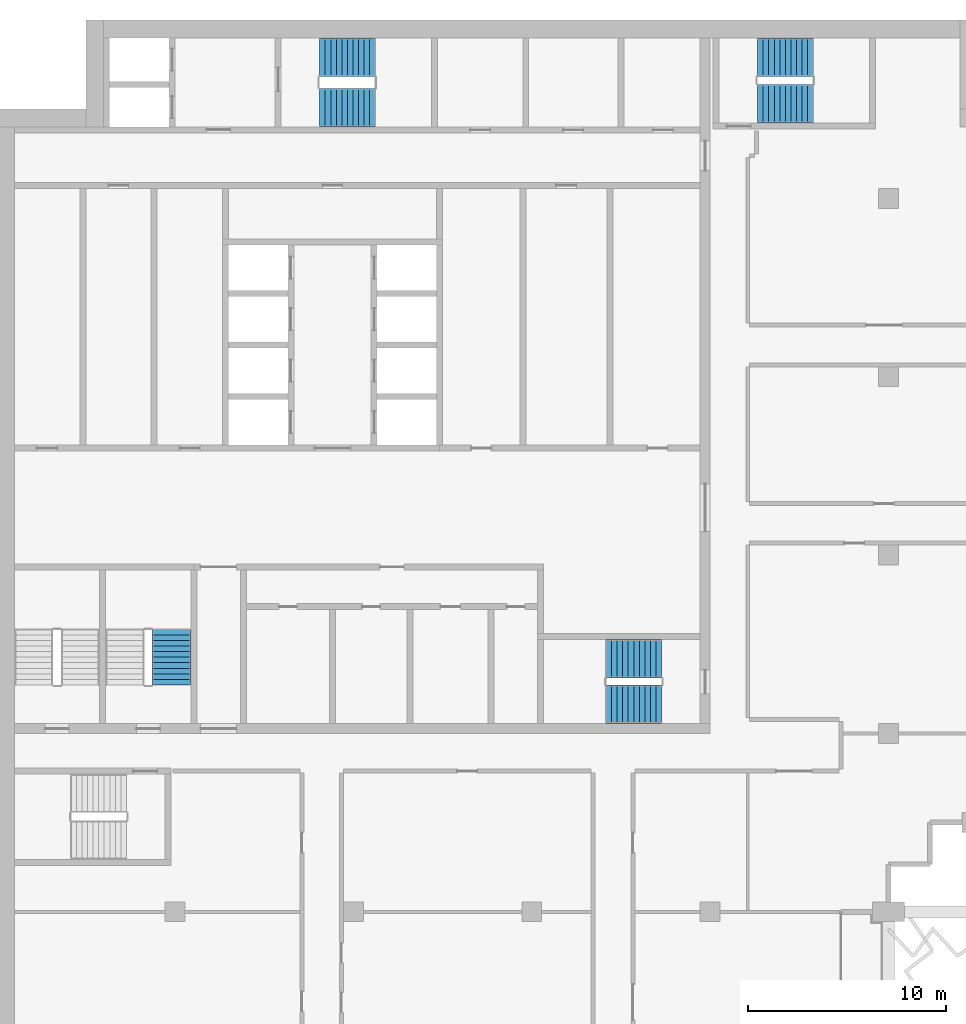
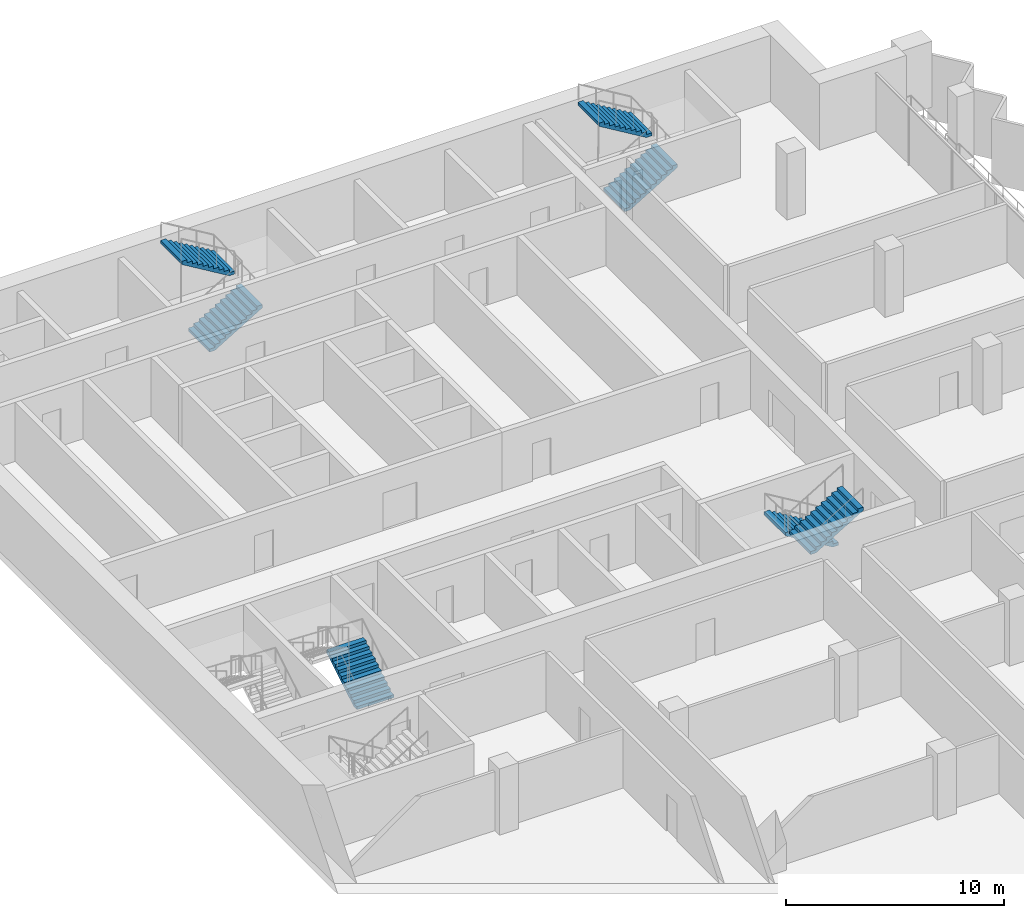
# One storey, part 12 of 16: 7 stair flights, 4 elements without a shape of their own.
"""IFC4 building model written with IfcOpenShell, lengths in metres."""

import ifcopenshell
import ifcopenshell.guid

model = None  # the IFC model being written
_history = None  # IfcOwnerHistory: only IFC2X3 demands one
_inside = {}  # id of a spatial element -> (the spatial element, [elements in it])
_under = {}  # id of a project, library or spatial element -> (it, [spatial elements below it])
_declared = {}  # id of a project -> (the project, [libraries it declares])
_typed = {}  # id of a type object -> (the type object, [elements of that type])
_made_of = {}  # id of a material, layer set ... -> (it, [elements and type objects made of it])


def new_model(schema):
    """Start an empty IFC model of exactly this schema.

    Asked for "IFC4X3", IfcOpenShell would pick the latest addendum, in which some entities
    have other attributes; the version numbers below select the first issue.
    IFC2X3 requires an IfcOwnerHistory on every rooted entity: one is made here for all.
    """
    global model, _history
    if schema == "IFC4X3":
        model = ifcopenshell.file(schema_version=(4, 3, 0, 0))
    else:
        model = ifcopenshell.file(schema=schema)
    _inside.clear()
    _under.clear()
    _declared.clear()
    _typed.clear()
    _made_of.clear()
    _history = None
    if model.schema == "IFC2X3":
        org = make("IfcOrganization", Name="unknown")
        user = make(
            "IfcPersonAndOrganization",
            ThePerson=make("IfcPerson", FamilyName="unknown"),
            TheOrganization=org,
        )
        app = make(
            "IfcApplication",
            ApplicationDeveloper=org,
            Version="unknown",
            ApplicationFullName="unknown",
            ApplicationIdentifier="unknown",
        )
        _history = make(
            "IfcOwnerHistory",
            OwningUser=user,
            OwningApplication=app,
            ChangeAction="ADDED",
            CreationDate=0,
        )
    return model


def make(cls, **values):
    """One entity of the class cls with the attributes given. An attribute that is None is left unset."""
    return model.create_entity(
        cls, **{name: value for name, value in values.items() if value is not None}
    )


def rooted(cls, **values):
    """An entity with a GlobalId (a new one), such as an element, a storey or a relation."""
    return make(cls, GlobalId=ifcopenshell.guid.new(), OwnerHistory=_history, **values)


def si_unit(unit_type, name, prefix=None):
    """IfcSIUnit, for example si_unit("LENGTHUNIT", "METRE", prefix="MILLI")."""
    return make("IfcSIUnit", UnitType=unit_type, Prefix=prefix, Name=name)


def assignment(units):
    """IfcUnitAssignment: the units of a project."""
    return None if units is None else make("IfcUnitAssignment", Units=units)


def point(xyz):
    """IfcCartesianPoint."""
    return None if xyz is None else make("IfcCartesianPoint", Coordinates=xyz)


def direction(xyz):
    """IfcDirection."""
    return None if xyz is None else make("IfcDirection", DirectionRatios=xyz)


def frame(location, z_axis=None, x_axis=None):
    """IfcAxis2Placement3D, a coordinate frame: its origin and axes. An axis left out is left unset."""
    return make(
        "IfcAxis2Placement3D",
        Location=point(location),
        Axis=direction(z_axis),
        RefDirection=direction(x_axis),
    )


def origin():
    """The frame at (0, 0, 0) with its axes left unset."""
    return frame((0.0, 0.0, 0.0))


def place(relative_to, where):
    """IfcLocalPlacement: puts the frame where relative to a parent placement (None: the world)."""
    return make(
        "IfcLocalPlacement", PlacementRelTo=relative_to, RelativePlacement=where
    )


def context(
    kind, dimensions, precision=None, world=None, true_north=None, identifier=None
):
    """IfcGeometricRepresentationContext, for example the 3D "Model" context."""
    return make(
        "IfcGeometricRepresentationContext",
        ContextIdentifier=identifier,
        ContextType=kind,
        CoordinateSpaceDimension=dimensions,
        Precision=precision,
        WorldCoordinateSystem=world,
        TrueNorth=true_north,
    )


def subcontext(parent, identifier, kind, view, scale=None):
    """IfcGeometricRepresentationSubContext, for example "Body" below "Model"."""
    return make(
        "IfcGeometricRepresentationSubContext",
        ContextIdentifier=identifier,
        ContextType=kind,
        ParentContext=parent,
        TargetScale=scale,
        TargetView=view,
    )


def project(units=None, contexts=None):
    """IfcProject with its units and contexts."""
    return rooted(
        "IfcProject",
        Name="project",
        RepresentationContexts=contexts,
        UnitsInContext=assignment(units),
    )


def spatial(cls, under=None, at=None, **own):
    """A site, building, storey or space (cls), placed at a placement, below another one or the project."""
    s = rooted(cls, ObjectPlacement=at, **own)
    if under is not None:
        _under.setdefault(under.id(), (under, []))[1].append(s)
    return s


def polyline(points):
    """IfcPolyline through the points."""
    return make("IfcPolyline", Points=[point(p) for p in points])


def outline(outer, holes=None, kind="AREA"):
    """IfcArbitraryClosedProfileDef: a profile drawn as a closed curve; with holes, ...WithVoids."""
    if holes is None:
        return make("IfcArbitraryClosedProfileDef", ProfileType=kind, OuterCurve=outer)
    return make(
        "IfcArbitraryProfileDefWithVoids",
        ProfileType=kind,
        OuterCurve=outer,
        InnerCurves=holes,
    )


def extrude(swept, where, along, depth):
    """IfcExtrudedAreaSolid: the profile swept, set in the frame where, extruded along a direction by depth."""
    return make(
        "IfcExtrudedAreaSolid",
        SweptArea=swept,
        Position=where,
        ExtrudedDirection=direction(along),
        Depth=depth,
    )


def shape(context_of_items, identifier, shape_type, items):
    """IfcShapeRepresentation: the items that make up one representation, for example the "Body"."""
    return make(
        "IfcShapeRepresentation",
        ContextOfItems=context_of_items,
        RepresentationIdentifier=identifier,
        RepresentationType=shape_type,
        Items=items,
    )


def material(Name=None, Category=None):
    """IfcMaterial."""
    return make("IfcMaterial", Name=Name, Category=Category)


def made_of(thing, what):
    """Note that an element or type object is made of a material, layer set ...; save() writes the relation."""
    if what is not None:
        _made_of.setdefault(what.id(), (what, []))[1].append(thing)
    return thing


def type_object(cls, material=None, **own):
    """A type object (cls), such as IfcWallType, which elements share."""
    return made_of(rooted(cls, **own), material)


def element(
    cls,
    number,
    at=None,
    inside=None,
    cuts=None,
    type_object=None,
    material=None,
    context=None,
    identifier="Body",
    shape_type=None,
    held_by="IfcProductDefinitionShape",
    body=None,
    shapes=None,
    **own,
):
    """One element of the class cls, such as IfcWall. Its Tag is "e" and its number.

    at: its placement. inside: the storey or other place that contains it. cuts: it is an
    opening in that element (IfcRelVoidsElement). A single representation is given by context,
    identifier, shape_type and body (its items); several are given by shapes. held_by: the class
    of the entity that holds the representations. save() writes the other relations.
    """
    e = rooted(cls, Tag="e%d" % number, ObjectPlacement=at, **own)
    if body is not None:
        shapes = [shape(context, identifier, shape_type, body)]
    if shapes is not None:
        e.Representation = make(held_by, Representations=shapes)
    if inside is not None:
        _inside.setdefault(inside.id(), (inside, []))[1].append(e)
    if cuts is not None:
        rooted(
            "IfcRelVoidsElement", RelatingBuildingElement=cuts, RelatedOpeningElement=e
        )
    if type_object is not None:
        _typed.setdefault(type_object.id(), (type_object, []))[1].append(e)
    return made_of(e, material)


def aggregate(whole, parts):
    """IfcRelAggregates: a whole, such as a stair, and the parts it consists of."""
    return rooted("IfcRelAggregates", RelatingObject=whole, RelatedObjects=parts)


def save(model, path):
    """Write the relations noted so far, then the file.

    IfcRelAggregates (storeys below a building ...), IfcRelContainedInSpatialStructure (elements
    in a storey), IfcRelDefinesByType, IfcRelAssociatesMaterial and IfcRelDeclares: one each for
    every whole, place, type object, material and project.
    """
    for whole, parts in _under.values():
        aggregate(whole, parts)
    for where, things in _inside.values():
        rooted(
            "IfcRelContainedInSpatialStructure",
            RelatedElements=things,
            RelatingStructure=where,
        )
    for kind, things in _typed.values():
        rooted("IfcRelDefinesByType", RelatedObjects=things, RelatingType=kind)
    for what, things in _made_of.values():
        rooted("IfcRelAssociatesMaterial", RelatedObjects=things, RelatingMaterial=what)
    for by, libraries in _declared.values():
        rooted("IfcRelDeclares", RelatingContext=by, RelatedDefinitions=libraries)
    model.write(path)


model = new_model("IFC4")

# Units and contexts
model_context = context("Model", 3, precision=1e-05, world=origin(), true_north=direction((0.0, 1.0)))
body_context = subcontext(model_context, "Body", "Model", "MODEL_VIEW")
ifc_project = project(units=[si_unit("LENGTHUNIT", "METRE"), si_unit("AREAUNIT", "SQUARE_METRE"), si_unit("VOLUMEUNIT", "CUBIC_METRE"), si_unit("PLANEANGLEUNIT", "RADIAN"), si_unit("MASSUNIT", "GRAM", prefix="KILO")], contexts=[model_context])

# Site, building, storey
site_placement = place(None, origin())
site = spatial("IfcSite", under=ifc_project, at=site_placement, CompositionType="ELEMENT")
building_placement = place(site_placement, origin())
building = spatial("IfcBuilding", under=site, at=building_placement, Name="Hunhe Ridgeline Campus", CompositionType="ELEMENT")
storey_placement = place(building_placement, frame((0.0, 0.0, 242.89990234375)))
storey = spatial("IfcBuildingStorey", under=building, at=storey_placement, Name="L62", CompositionType="ELEMENT", Elevation=242.89990234375)

# Stair, stair flights
ifc_material = material(Name="Concrete C40", Category="concrete")
stair_type = type_object("IfcStairType", Name="Reinforced concrete dog-leg stair 1950 Concrete C40", PredefinedType="HALF_TURN_STAIR", material=ifc_material)
stair_1_placement = place(storey_placement, origin())
stair_1 = element("IfcStair", 1, at=stair_1_placement, inside=storey, type_object=stair_type, Name="L62 S1", PredefinedType="HALF_TURN_STAIR")
stair_flight_type = type_object("IfcStairFlightType", Name="Reinforced concrete stair flight 1950 Concrete C40", PredefinedType="STRAIGHT", material=ifc_material)
stair_flight_1_placement = place(storey_placement, frame((16.300048828125, 94.574951171875, 0.0), z_axis=(0.0, 0.0, 1.0), x_axis=(1.0, 0.0, 0.0)))
stair_flight_1 = element("IfcStairFlight", 2, at=stair_flight_1_placement, type_object=stair_flight_type, Name="ST1 flight 1", NumberOfRisers=11, NumberOfTreads=10, PredefinedType="STRAIGHT", RiserHeight=0.168181818, TreadLength=0.28, context=body_context, shape_type="SweptSolid", body=[
    extrude(outline(polyline([(0.0, 0.0), (0.0, 0.168212890625), (0.280029296875, 0.168212890625), (0.280029296875, 0.33642578125), (0.56005859375, 0.33642578125), (0.56005859375, 0.504638671875), (0.840087890625, 0.504638671875), (0.840087890625, 0.672607421875), (1.1201171875, 0.672607421875), (1.1201171875, 0.8408203125), (1.39990234375, 0.8408203125), (1.39990234375, 1.009033203125), (1.679931640625, 1.009033203125), (1.679931640625, 1.17724609375), (1.9599609375, 1.17724609375), (1.9599609375, 1.345458984375), (2.239990234375, 1.345458984375), (2.239990234375, 1.513671875), (2.52001953125, 1.513671875), (2.52001953125, 1.681884765625), (2.800048828125, 1.681884765625), (2.800048828125, 1.85009765625), (2.800048828125, 1.5068359375), (0.291015625, 0.0), (0.0, 0.0)])), frame((0.0, 0.97509765625, 0.0), z_axis=(0.0, -1.0, 0.0), x_axis=(1.0, 0.0, 0.0)), (0.0, 0.0, 1.0), 1.949951171875),
    extrude(outline(polyline([(0.030029296875, 0.030029296875), (0.030029296875, 0.13818359375), (0.31005859375, 0.13818359375), (0.31005859375, 0.306396484375), (0.590087890625, 0.306396484375), (0.590087890625, 0.474609375), (0.8701171875, 0.474609375), (0.8701171875, 0.642578125), (1.14990234375, 0.642578125), (1.14990234375, 0.810791015625), (1.429931640625, 0.810791015625), (1.429931640625, 0.97900390625), (1.7099609375, 0.97900390625), (1.7099609375, 1.147216796875), (1.989990234375, 1.147216796875), (1.989990234375, 1.3154296875), (2.27001953125, 1.3154296875), (2.27001953125, 1.483642578125), (2.550048828125, 1.483642578125), (2.550048828125, 1.65185546875), (2.77001953125, 1.65185546875), (2.77001953125, 1.52392578125), (0.28271484375, 0.030029296875), (0.030029296875, 0.030029296875)])), frame((0.0, -0.070068359375, 0.0), z_axis=(0.0, -1.0, 0.0), x_axis=(1.0, 0.0, 0.0)), (0.0, 0.0, 1.0), 0.019775390625),
    extrude(outline(polyline([(0.030029296875, 0.030029296875), (0.030029296875, 0.13818359375), (0.31005859375, 0.13818359375), (0.31005859375, 0.306396484375), (0.590087890625, 0.306396484375), (0.590087890625, 0.474609375), (0.8701171875, 0.474609375), (0.8701171875, 0.642578125), (1.14990234375, 0.642578125), (1.14990234375, 0.810791015625), (1.429931640625, 0.810791015625), (1.429931640625, 0.97900390625), (1.7099609375, 0.97900390625), (1.7099609375, 1.147216796875), (1.989990234375, 1.147216796875), (1.989990234375, 1.3154296875), (2.27001953125, 1.3154296875), (2.27001953125, 1.483642578125), (2.550048828125, 1.483642578125), (2.550048828125, 1.65185546875), (2.77001953125, 1.65185546875), (2.77001953125, 1.52392578125), (0.28271484375, 0.030029296875), (0.030029296875, 0.030029296875)])), frame((0.0, 0.010009765625, 0.0), z_axis=(0.0, -1.0, 0.0), x_axis=(1.0, 0.0, 0.0)), (0.0, 0.0, 1.0), 0.019775390625),
    extrude(outline(polyline([(0.030029296875, 0.030029296875), (0.030029296875, 0.13818359375), (0.31005859375, 0.13818359375), (0.31005859375, 0.306396484375), (0.590087890625, 0.306396484375), (0.590087890625, 0.474609375), (0.8701171875, 0.474609375), (0.8701171875, 0.642578125), (1.14990234375, 0.642578125), (1.14990234375, 0.810791015625), (1.429931640625, 0.810791015625), (1.429931640625, 0.97900390625), (1.7099609375, 0.97900390625), (1.7099609375, 1.147216796875), (1.989990234375, 1.147216796875), (1.989990234375, 1.3154296875), (2.27001953125, 1.3154296875), (2.27001953125, 1.483642578125), (2.550048828125, 1.483642578125), (2.550048828125, 1.65185546875), (2.77001953125, 1.65185546875), (2.77001953125, 1.52392578125), (0.28271484375, 0.030029296875), (0.030029296875, 0.030029296875)])), frame((0.0, 0.090087890625, 0.0), z_axis=(0.0, -1.0, 0.0), x_axis=(1.0, 0.0, 0.0)), (0.0, 0.0, 1.0), 0.019775390625),
])
stair_flight_2_placement = place(storey_placement, frame((19.10009765625, 97.125, 1.85009765625), z_axis=(0.0, 0.0, 1.0), x_axis=(-1.0, 0.0, 0.0)))
stair_flight_2 = element("IfcStairFlight", 3, at=stair_flight_2_placement, type_object=stair_flight_type, Name="ST1 flight 2", NumberOfRisers=11, NumberOfTreads=10, PredefinedType="STRAIGHT", RiserHeight=0.168181818, TreadLength=0.28, context=body_context, shape_type="SweptSolid", body=[
    extrude(outline(polyline([(0.0, 0.0), (0.0, 0.168212890625), (0.280029296875, 0.168212890625), (0.280029296875, 0.33642578125), (0.56005859375, 0.33642578125), (0.56005859375, 0.504638671875), (0.840087890625, 0.504638671875), (0.840087890625, 0.672607421875), (1.1201171875, 0.672607421875), (1.1201171875, 0.8408203125), (1.39990234375, 0.8408203125), (1.39990234375, 1.009033203125), (1.679931640625, 1.009033203125), (1.679931640625, 1.17724609375), (1.9599609375, 1.17724609375), (1.9599609375, 1.345458984375), (2.239990234375, 1.345458984375), (2.239990234375, 1.513671875), (2.52001953125, 1.513671875), (2.52001953125, 1.681884765625), (2.800048828125, 1.681884765625), (2.800048828125, 1.85009765625), (2.800048828125, 1.5068359375), (0.291015625, 0.0), (0.0, 0.0)])), frame((0.0, 0.97509765625, 0.0), z_axis=(0.0, -1.0, 0.0), x_axis=(1.0, 0.0, 0.0)), (0.0, 0.0, 1.0), 1.949951171875),
    extrude(outline(polyline([(0.030029296875, 0.030029296875), (0.030029296875, 0.13818359375), (0.31005859375, 0.13818359375), (0.31005859375, 0.306396484375), (0.590087890625, 0.306396484375), (0.590087890625, 0.474609375), (0.8701171875, 0.474609375), (0.8701171875, 0.642578125), (1.14990234375, 0.642578125), (1.14990234375, 0.810791015625), (1.429931640625, 0.810791015625), (1.429931640625, 0.97900390625), (1.7099609375, 0.97900390625), (1.7099609375, 1.147216796875), (1.989990234375, 1.147216796875), (1.989990234375, 1.3154296875), (2.27001953125, 1.3154296875), (2.27001953125, 1.483642578125), (2.550048828125, 1.483642578125), (2.550048828125, 1.65185546875), (2.77001953125, 1.65185546875), (2.77001953125, 1.52392578125), (0.28271484375, 0.030029296875), (0.030029296875, 0.030029296875)])), frame((0.0, -0.070068359375, 0.0), z_axis=(0.0, -1.0, 0.0), x_axis=(1.0, 0.0, 0.0)), (0.0, 0.0, 1.0), 0.019775390625),
    extrude(outline(polyline([(0.030029296875, 0.030029296875), (0.030029296875, 0.13818359375), (0.31005859375, 0.13818359375), (0.31005859375, 0.306396484375), (0.590087890625, 0.306396484375), (0.590087890625, 0.474609375), (0.8701171875, 0.474609375), (0.8701171875, 0.642578125), (1.14990234375, 0.642578125), (1.14990234375, 0.810791015625), (1.429931640625, 0.810791015625), (1.429931640625, 0.97900390625), (1.7099609375, 0.97900390625), (1.7099609375, 1.147216796875), (1.989990234375, 1.147216796875), (1.989990234375, 1.3154296875), (2.27001953125, 1.3154296875), (2.27001953125, 1.483642578125), (2.550048828125, 1.483642578125), (2.550048828125, 1.65185546875), (2.77001953125, 1.65185546875), (2.77001953125, 1.52392578125), (0.28271484375, 0.030029296875), (0.030029296875, 0.030029296875)])), frame((0.0, 0.010009765625, 0.0), z_axis=(0.0, -1.0, 0.0), x_axis=(1.0, 0.0, 0.0)), (0.0, 0.0, 1.0), 0.019775390625),
    extrude(outline(polyline([(0.030029296875, 0.030029296875), (0.030029296875, 0.13818359375), (0.31005859375, 0.13818359375), (0.31005859375, 0.306396484375), (0.590087890625, 0.306396484375), (0.590087890625, 0.474609375), (0.8701171875, 0.474609375), (0.8701171875, 0.642578125), (1.14990234375, 0.642578125), (1.14990234375, 0.810791015625), (1.429931640625, 0.810791015625), (1.429931640625, 0.97900390625), (1.7099609375, 0.97900390625), (1.7099609375, 1.147216796875), (1.989990234375, 1.147216796875), (1.989990234375, 1.3154296875), (2.27001953125, 1.3154296875), (2.27001953125, 1.483642578125), (2.550048828125, 1.483642578125), (2.550048828125, 1.65185546875), (2.77001953125, 1.65185546875), (2.77001953125, 1.52392578125), (0.28271484375, 0.030029296875), (0.030029296875, 0.030029296875)])), frame((0.0, 0.090087890625, 0.0), z_axis=(0.0, -1.0, 0.0), x_axis=(1.0, 0.0, 0.0)), (0.0, 0.0, 1.0), 0.019775390625),
])
aggregate(stair_1, [stair_flight_1, stair_flight_2])

stair_2_placement = place(storey_placement, origin())
stair_2 = element("IfcStair", 4, at=stair_2_placement, inside=storey, type_object=stair_type, Name="L62 S2", PredefinedType="HALF_TURN_STAIR")
stair_flight_3_placement = place(storey_placement, frame((33.550048828125, 66.77490234375, 0.0), z_axis=(0.0, 0.0, 1.0), x_axis=(-1.0, 0.0, 0.0)))
stair_flight_3 = element("IfcStairFlight", 5, at=stair_flight_3_placement, type_object=stair_flight_type, Name="ST2 flight 1", NumberOfRisers=11, NumberOfTreads=10, PredefinedType="STRAIGHT", RiserHeight=0.168181818, TreadLength=0.28, context=body_context, shape_type="SweptSolid", body=[
    extrude(outline(polyline([(0.0, 0.0), (0.0, 0.168212890625), (0.280029296875, 0.168212890625), (0.280029296875, 0.33642578125), (0.56005859375, 0.33642578125), (0.56005859375, 0.504638671875), (0.840087890625, 0.504638671875), (0.840087890625, 0.672607421875), (1.1201171875, 0.672607421875), (1.1201171875, 0.8408203125), (1.39990234375, 0.8408203125), (1.39990234375, 1.009033203125), (1.679931640625, 1.009033203125), (1.679931640625, 1.17724609375), (1.9599609375, 1.17724609375), (1.9599609375, 1.345458984375), (2.239990234375, 1.345458984375), (2.239990234375, 1.513671875), (2.52001953125, 1.513671875), (2.52001953125, 1.681884765625), (2.800048828125, 1.681884765625), (2.800048828125, 1.85009765625), (2.800048828125, 1.5068359375), (0.291015625, 0.0), (0.0, 0.0)])), frame((0.0, 0.97509765625, 0.0), z_axis=(0.0, -1.0, 0.0), x_axis=(1.0, 0.0, 0.0)), (0.0, 0.0, 1.0), 1.949951171875),
    extrude(outline(polyline([(0.030029296875, 0.030029296875), (0.030029296875, 0.13818359375), (0.31005859375, 0.13818359375), (0.31005859375, 0.306396484375), (0.590087890625, 0.306396484375), (0.590087890625, 0.474609375), (0.8701171875, 0.474609375), (0.8701171875, 0.642578125), (1.14990234375, 0.642578125), (1.14990234375, 0.810791015625), (1.429931640625, 0.810791015625), (1.429931640625, 0.97900390625), (1.7099609375, 0.97900390625), (1.7099609375, 1.147216796875), (1.989990234375, 1.147216796875), (1.989990234375, 1.3154296875), (2.27001953125, 1.3154296875), (2.27001953125, 1.483642578125), (2.550048828125, 1.483642578125), (2.550048828125, 1.65185546875), (2.77001953125, 1.65185546875), (2.77001953125, 1.52392578125), (0.28271484375, 0.030029296875), (0.030029296875, 0.030029296875)])), frame((0.0, -0.070068359375, 0.0), z_axis=(0.0, -1.0, 0.0), x_axis=(1.0, 0.0, 0.0)), (0.0, 0.0, 1.0), 0.019775390625),
    extrude(outline(polyline([(0.030029296875, 0.030029296875), (0.030029296875, 0.13818359375), (0.31005859375, 0.13818359375), (0.31005859375, 0.306396484375), (0.590087890625, 0.306396484375), (0.590087890625, 0.474609375), (0.8701171875, 0.474609375), (0.8701171875, 0.642578125), (1.14990234375, 0.642578125), (1.14990234375, 0.810791015625), (1.429931640625, 0.810791015625), (1.429931640625, 0.97900390625), (1.7099609375, 0.97900390625), (1.7099609375, 1.147216796875), (1.989990234375, 1.147216796875), (1.989990234375, 1.3154296875), (2.27001953125, 1.3154296875), (2.27001953125, 1.483642578125), (2.550048828125, 1.483642578125), (2.550048828125, 1.65185546875), (2.77001953125, 1.65185546875), (2.77001953125, 1.52392578125), (0.28271484375, 0.030029296875), (0.030029296875, 0.030029296875)])), frame((0.0, 0.010009765625, 0.0), z_axis=(0.0, -1.0, 0.0), x_axis=(1.0, 0.0, 0.0)), (0.0, 0.0, 1.0), 0.019775390625),
    extrude(outline(polyline([(0.030029296875, 0.030029296875), (0.030029296875, 0.13818359375), (0.31005859375, 0.13818359375), (0.31005859375, 0.306396484375), (0.590087890625, 0.306396484375), (0.590087890625, 0.474609375), (0.8701171875, 0.474609375), (0.8701171875, 0.642578125), (1.14990234375, 0.642578125), (1.14990234375, 0.810791015625), (1.429931640625, 0.810791015625), (1.429931640625, 0.97900390625), (1.7099609375, 0.97900390625), (1.7099609375, 1.147216796875), (1.989990234375, 1.147216796875), (1.989990234375, 1.3154296875), (2.27001953125, 1.3154296875), (2.27001953125, 1.483642578125), (2.550048828125, 1.483642578125), (2.550048828125, 1.65185546875), (2.77001953125, 1.65185546875), (2.77001953125, 1.52392578125), (0.28271484375, 0.030029296875), (0.030029296875, 0.030029296875)])), frame((0.0, 0.090087890625, 0.0), z_axis=(0.0, -1.0, 0.0), x_axis=(1.0, 0.0, 0.0)), (0.0, 0.0, 1.0), 0.019775390625),
])
stair_flight_4_placement = place(storey_placement, frame((30.75, 64.47509765625, 1.85009765625), z_axis=(0.0, 0.0, 1.0), x_axis=(1.0, 0.0, 0.0)))
stair_flight_4 = element("IfcStairFlight", 6, at=stair_flight_4_placement, type_object=stair_flight_type, Name="ST2 flight 2", NumberOfRisers=11, NumberOfTreads=10, PredefinedType="STRAIGHT", RiserHeight=0.168181818, TreadLength=0.28, context=body_context, shape_type="SweptSolid", body=[
    extrude(outline(polyline([(0.0, 0.0), (0.0, 0.168212890625), (0.280029296875, 0.168212890625), (0.280029296875, 0.33642578125), (0.56005859375, 0.33642578125), (0.56005859375, 0.504638671875), (0.840087890625, 0.504638671875), (0.840087890625, 0.672607421875), (1.1201171875, 0.672607421875), (1.1201171875, 0.8408203125), (1.39990234375, 0.8408203125), (1.39990234375, 1.009033203125), (1.679931640625, 1.009033203125), (1.679931640625, 1.17724609375), (1.9599609375, 1.17724609375), (1.9599609375, 1.345458984375), (2.239990234375, 1.345458984375), (2.239990234375, 1.513671875), (2.52001953125, 1.513671875), (2.52001953125, 1.681884765625), (2.800048828125, 1.681884765625), (2.800048828125, 1.85009765625), (2.800048828125, 1.5068359375), (0.291015625, 0.0), (0.0, 0.0)])), frame((0.0, 0.97509765625, 0.0), z_axis=(0.0, -1.0, 0.0), x_axis=(1.0, 0.0, 0.0)), (0.0, 0.0, 1.0), 1.949951171875),
    extrude(outline(polyline([(0.030029296875, 0.030029296875), (0.030029296875, 0.13818359375), (0.31005859375, 0.13818359375), (0.31005859375, 0.306396484375), (0.590087890625, 0.306396484375), (0.590087890625, 0.474609375), (0.8701171875, 0.474609375), (0.8701171875, 0.642578125), (1.14990234375, 0.642578125), (1.14990234375, 0.810791015625), (1.429931640625, 0.810791015625), (1.429931640625, 0.97900390625), (1.7099609375, 0.97900390625), (1.7099609375, 1.147216796875), (1.989990234375, 1.147216796875), (1.989990234375, 1.3154296875), (2.27001953125, 1.3154296875), (2.27001953125, 1.483642578125), (2.550048828125, 1.483642578125), (2.550048828125, 1.65185546875), (2.77001953125, 1.65185546875), (2.77001953125, 1.52392578125), (0.28271484375, 0.030029296875), (0.030029296875, 0.030029296875)])), frame((0.0, -0.070068359375, 0.0), z_axis=(0.0, -1.0, 0.0), x_axis=(1.0, 0.0, 0.0)), (0.0, 0.0, 1.0), 0.019775390625),
    extrude(outline(polyline([(0.030029296875, 0.030029296875), (0.030029296875, 0.13818359375), (0.31005859375, 0.13818359375), (0.31005859375, 0.306396484375), (0.590087890625, 0.306396484375), (0.590087890625, 0.474609375), (0.8701171875, 0.474609375), (0.8701171875, 0.642578125), (1.14990234375, 0.642578125), (1.14990234375, 0.810791015625), (1.429931640625, 0.810791015625), (1.429931640625, 0.97900390625), (1.7099609375, 0.97900390625), (1.7099609375, 1.147216796875), (1.989990234375, 1.147216796875), (1.989990234375, 1.3154296875), (2.27001953125, 1.3154296875), (2.27001953125, 1.483642578125), (2.550048828125, 1.483642578125), (2.550048828125, 1.65185546875), (2.77001953125, 1.65185546875), (2.77001953125, 1.52392578125), (0.28271484375, 0.030029296875), (0.030029296875, 0.030029296875)])), frame((0.0, 0.010009765625, 0.0), z_axis=(0.0, -1.0, 0.0), x_axis=(1.0, 0.0, 0.0)), (0.0, 0.0, 1.0), 0.019775390625),
    extrude(outline(polyline([(0.030029296875, 0.030029296875), (0.030029296875, 0.13818359375), (0.31005859375, 0.13818359375), (0.31005859375, 0.306396484375), (0.590087890625, 0.306396484375), (0.590087890625, 0.474609375), (0.8701171875, 0.474609375), (0.8701171875, 0.642578125), (1.14990234375, 0.642578125), (1.14990234375, 0.810791015625), (1.429931640625, 0.810791015625), (1.429931640625, 0.97900390625), (1.7099609375, 0.97900390625), (1.7099609375, 1.147216796875), (1.989990234375, 1.147216796875), (1.989990234375, 1.3154296875), (2.27001953125, 1.3154296875), (2.27001953125, 1.483642578125), (2.550048828125, 1.483642578125), (2.550048828125, 1.65185546875), (2.77001953125, 1.65185546875), (2.77001953125, 1.52392578125), (0.28271484375, 0.030029296875), (0.030029296875, 0.030029296875)])), frame((0.0, 0.090087890625, 0.0), z_axis=(0.0, -1.0, 0.0), x_axis=(1.0, 0.0, 0.0)), (0.0, 0.0, 1.0), 0.019775390625),
])
aggregate(stair_2, [stair_flight_3, stair_flight_4])

# Stair, stair flight
stair_3_placement = place(storey_placement, origin())
stair_3 = element("IfcStair", 7, at=stair_3_placement, inside=storey, type_object=stair_type, Name="L62 S4", PredefinedType="HALF_TURN_STAIR")
stair_flight_5_placement = place(storey_placement, frame((8.824951171875, 65.449951171875, 0.0), z_axis=(0.0, 0.0, 1.0), x_axis=(0.0, 1.0, 0.0)))
stair_flight_5 = element("IfcStairFlight", 8, at=stair_flight_5_placement, type_object=stair_flight_type, Name="ST4 flight 1", NumberOfRisers=11, NumberOfTreads=10, PredefinedType="STRAIGHT", RiserHeight=0.168181818, TreadLength=0.28, context=body_context, shape_type="SweptSolid", body=[
    extrude(outline(polyline([(0.0, 0.0), (0.0, 0.168212890625), (0.280029296875, 0.168212890625), (0.280029296875, 0.33642578125), (0.56005859375, 0.33642578125), (0.56005859375, 0.504638671875), (0.840087890625, 0.504638671875), (0.840087890625, 0.672607421875), (1.1201171875, 0.672607421875), (1.1201171875, 0.8408203125), (1.39990234375, 0.8408203125), (1.39990234375, 1.009033203125), (1.679931640625, 1.009033203125), (1.679931640625, 1.17724609375), (1.9599609375, 1.17724609375), (1.9599609375, 1.345458984375), (2.239990234375, 1.345458984375), (2.239990234375, 1.513671875), (2.52001953125, 1.513671875), (2.52001953125, 1.681884765625), (2.800048828125, 1.681884765625), (2.800048828125, 1.85009765625), (2.800048828125, 1.5068359375), (0.291015625, 0.0), (0.0, 0.0)])), frame((0.0, 0.97509765625, 0.0), z_axis=(0.0, -1.0, 0.0), x_axis=(1.0, 0.0, 0.0)), (0.0, 0.0, 1.0), 1.949951171875),
    extrude(outline(polyline([(0.030029296875, 0.030029296875), (0.030029296875, 0.13818359375), (0.31005859375, 0.13818359375), (0.31005859375, 0.306396484375), (0.590087890625, 0.306396484375), (0.590087890625, 0.474609375), (0.8701171875, 0.474609375), (0.8701171875, 0.642578125), (1.14990234375, 0.642578125), (1.14990234375, 0.810791015625), (1.429931640625, 0.810791015625), (1.429931640625, 0.97900390625), (1.7099609375, 0.97900390625), (1.7099609375, 1.147216796875), (1.989990234375, 1.147216796875), (1.989990234375, 1.3154296875), (2.27001953125, 1.3154296875), (2.27001953125, 1.483642578125), (2.550048828125, 1.483642578125), (2.550048828125, 1.65185546875), (2.77001953125, 1.65185546875), (2.77001953125, 1.52392578125), (0.28271484375, 0.030029296875), (0.030029296875, 0.030029296875)])), frame((0.0, -0.070068359375, 0.0), z_axis=(0.0, -1.0, 0.0), x_axis=(1.0, 0.0, 0.0)), (0.0, 0.0, 1.0), 0.019775390625),
    extrude(outline(polyline([(0.030029296875, 0.030029296875), (0.030029296875, 0.13818359375), (0.31005859375, 0.13818359375), (0.31005859375, 0.306396484375), (0.590087890625, 0.306396484375), (0.590087890625, 0.474609375), (0.8701171875, 0.474609375), (0.8701171875, 0.642578125), (1.14990234375, 0.642578125), (1.14990234375, 0.810791015625), (1.429931640625, 0.810791015625), (1.429931640625, 0.97900390625), (1.7099609375, 0.97900390625), (1.7099609375, 1.147216796875), (1.989990234375, 1.147216796875), (1.989990234375, 1.3154296875), (2.27001953125, 1.3154296875), (2.27001953125, 1.483642578125), (2.550048828125, 1.483642578125), (2.550048828125, 1.65185546875), (2.77001953125, 1.65185546875), (2.77001953125, 1.52392578125), (0.28271484375, 0.030029296875), (0.030029296875, 0.030029296875)])), frame((0.0, 0.010009765625, 0.0), z_axis=(0.0, -1.0, 0.0), x_axis=(1.0, 0.0, 0.0)), (0.0, 0.0, 1.0), 0.019775390625),
    extrude(outline(polyline([(0.030029296875, 0.030029296875), (0.030029296875, 0.13818359375), (0.31005859375, 0.13818359375), (0.31005859375, 0.306396484375), (0.590087890625, 0.306396484375), (0.590087890625, 0.474609375), (0.8701171875, 0.474609375), (0.8701171875, 0.642578125), (1.14990234375, 0.642578125), (1.14990234375, 0.810791015625), (1.429931640625, 0.810791015625), (1.429931640625, 0.97900390625), (1.7099609375, 0.97900390625), (1.7099609375, 1.147216796875), (1.989990234375, 1.147216796875), (1.989990234375, 1.3154296875), (2.27001953125, 1.3154296875), (2.27001953125, 1.483642578125), (2.550048828125, 1.483642578125), (2.550048828125, 1.65185546875), (2.77001953125, 1.65185546875), (2.77001953125, 1.52392578125), (0.28271484375, 0.030029296875), (0.030029296875, 0.030029296875)])), frame((0.0, 0.090087890625, 0.0), z_axis=(0.0, -1.0, 0.0), x_axis=(1.0, 0.0, 0.0)), (0.0, 0.0, 1.0), 0.019775390625),
])
aggregate(stair_3, [stair_flight_5])

# Stair, stair flights
stair_4_placement = place(storey_placement, origin())
stair_4 = element("IfcStair", 9, at=stair_4_placement, inside=storey, type_object=stair_type, Name="L62 E1", PredefinedType="HALF_TURN_STAIR")
stair_flight_6_placement = place(storey_placement, frame((38.39990234375, 94.77490234375, 0.0), z_axis=(0.0, 0.0, 1.0), x_axis=(1.0, 0.0, 0.0)))
stair_flight_6 = element("IfcStairFlight", 10, at=stair_flight_6_placement, type_object=stair_flight_type, Name="ST5 flight 1", NumberOfRisers=11, NumberOfTreads=10, PredefinedType="STRAIGHT", RiserHeight=0.168181818, TreadLength=0.28, context=body_context, shape_type="SweptSolid", body=[
    extrude(outline(polyline([(0.0, 0.0), (0.0, 0.168212890625), (0.280029296875, 0.168212890625), (0.280029296875, 0.33642578125), (0.56005859375, 0.33642578125), (0.56005859375, 0.504638671875), (0.840087890625, 0.504638671875), (0.840087890625, 0.672607421875), (1.1201171875, 0.672607421875), (1.1201171875, 0.8408203125), (1.39990234375, 0.8408203125), (1.39990234375, 1.009033203125), (1.679931640625, 1.009033203125), (1.679931640625, 1.17724609375), (1.9599609375, 1.17724609375), (1.9599609375, 1.345458984375), (2.239990234375, 1.345458984375), (2.239990234375, 1.513671875), (2.52001953125, 1.513671875), (2.52001953125, 1.681884765625), (2.800048828125, 1.681884765625), (2.800048828125, 1.85009765625), (2.800048828125, 1.5068359375), (0.291015625, 0.0), (0.0, 0.0)])), frame((0.0, 0.97509765625, 0.0), z_axis=(0.0, -1.0, 0.0), x_axis=(1.0, 0.0, 0.0)), (0.0, 0.0, 1.0), 1.949951171875),
    extrude(outline(polyline([(0.030029296875, 0.030029296875), (0.030029296875, 0.13818359375), (0.31005859375, 0.13818359375), (0.31005859375, 0.306396484375), (0.590087890625, 0.306396484375), (0.590087890625, 0.474609375), (0.8701171875, 0.474609375), (0.8701171875, 0.642578125), (1.14990234375, 0.642578125), (1.14990234375, 0.810791015625), (1.429931640625, 0.810791015625), (1.429931640625, 0.97900390625), (1.7099609375, 0.97900390625), (1.7099609375, 1.147216796875), (1.989990234375, 1.147216796875), (1.989990234375, 1.3154296875), (2.27001953125, 1.3154296875), (2.27001953125, 1.483642578125), (2.550048828125, 1.483642578125), (2.550048828125, 1.65185546875), (2.77001953125, 1.65185546875), (2.77001953125, 1.52392578125), (0.28271484375, 0.030029296875), (0.030029296875, 0.030029296875)])), frame((0.0, -0.070068359375, 0.0), z_axis=(0.0, -1.0, 0.0), x_axis=(1.0, 0.0, 0.0)), (0.0, 0.0, 1.0), 0.019775390625),
    extrude(outline(polyline([(0.030029296875, 0.030029296875), (0.030029296875, 0.13818359375), (0.31005859375, 0.13818359375), (0.31005859375, 0.306396484375), (0.590087890625, 0.306396484375), (0.590087890625, 0.474609375), (0.8701171875, 0.474609375), (0.8701171875, 0.642578125), (1.14990234375, 0.642578125), (1.14990234375, 0.810791015625), (1.429931640625, 0.810791015625), (1.429931640625, 0.97900390625), (1.7099609375, 0.97900390625), (1.7099609375, 1.147216796875), (1.989990234375, 1.147216796875), (1.989990234375, 1.3154296875), (2.27001953125, 1.3154296875), (2.27001953125, 1.483642578125), (2.550048828125, 1.483642578125), (2.550048828125, 1.65185546875), (2.77001953125, 1.65185546875), (2.77001953125, 1.52392578125), (0.28271484375, 0.030029296875), (0.030029296875, 0.030029296875)])), frame((0.0, 0.010009765625, 0.0), z_axis=(0.0, -1.0, 0.0), x_axis=(1.0, 0.0, 0.0)), (0.0, 0.0, 1.0), 0.019775390625),
    extrude(outline(polyline([(0.030029296875, 0.030029296875), (0.030029296875, 0.13818359375), (0.31005859375, 0.13818359375), (0.31005859375, 0.306396484375), (0.590087890625, 0.306396484375), (0.590087890625, 0.474609375), (0.8701171875, 0.474609375), (0.8701171875, 0.642578125), (1.14990234375, 0.642578125), (1.14990234375, 0.810791015625), (1.429931640625, 0.810791015625), (1.429931640625, 0.97900390625), (1.7099609375, 0.97900390625), (1.7099609375, 1.147216796875), (1.989990234375, 1.147216796875), (1.989990234375, 1.3154296875), (2.27001953125, 1.3154296875), (2.27001953125, 1.483642578125), (2.550048828125, 1.483642578125), (2.550048828125, 1.65185546875), (2.77001953125, 1.65185546875), (2.77001953125, 1.52392578125), (0.28271484375, 0.030029296875), (0.030029296875, 0.030029296875)])), frame((0.0, 0.090087890625, 0.0), z_axis=(0.0, -1.0, 0.0), x_axis=(1.0, 0.0, 0.0)), (0.0, 0.0, 1.0), 0.019775390625),
])
stair_flight_7_placement = place(storey_placement, frame((41.199951171875, 97.125, 1.85009765625), z_axis=(0.0, 0.0, 1.0), x_axis=(-1.0, 0.0, 0.0)))
stair_flight_7 = element("IfcStairFlight", 11, at=stair_flight_7_placement, type_object=stair_flight_type, Name="ST5 flight 2", NumberOfRisers=11, NumberOfTreads=10, PredefinedType="STRAIGHT", RiserHeight=0.168181818, TreadLength=0.28, context=body_context, shape_type="SweptSolid", body=[
    extrude(outline(polyline([(0.0, 0.0), (0.0, 0.168212890625), (0.280029296875, 0.168212890625), (0.280029296875, 0.33642578125), (0.56005859375, 0.33642578125), (0.56005859375, 0.504638671875), (0.840087890625, 0.504638671875), (0.840087890625, 0.672607421875), (1.1201171875, 0.672607421875), (1.1201171875, 0.8408203125), (1.39990234375, 0.8408203125), (1.39990234375, 1.009033203125), (1.679931640625, 1.009033203125), (1.679931640625, 1.17724609375), (1.9599609375, 1.17724609375), (1.9599609375, 1.345458984375), (2.239990234375, 1.345458984375), (2.239990234375, 1.513671875), (2.52001953125, 1.513671875), (2.52001953125, 1.681884765625), (2.800048828125, 1.681884765625), (2.800048828125, 1.85009765625), (2.800048828125, 1.5068359375), (0.291015625, 0.0), (0.0, 0.0)])), frame((0.0, 0.97509765625, 0.0), z_axis=(0.0, -1.0, 0.0), x_axis=(1.0, 0.0, 0.0)), (0.0, 0.0, 1.0), 1.949951171875),
    extrude(outline(polyline([(0.030029296875, 0.030029296875), (0.030029296875, 0.13818359375), (0.31005859375, 0.13818359375), (0.31005859375, 0.306396484375), (0.590087890625, 0.306396484375), (0.590087890625, 0.474609375), (0.8701171875, 0.474609375), (0.8701171875, 0.642578125), (1.14990234375, 0.642578125), (1.14990234375, 0.810791015625), (1.429931640625, 0.810791015625), (1.429931640625, 0.97900390625), (1.7099609375, 0.97900390625), (1.7099609375, 1.147216796875), (1.989990234375, 1.147216796875), (1.989990234375, 1.3154296875), (2.27001953125, 1.3154296875), (2.27001953125, 1.483642578125), (2.550048828125, 1.483642578125), (2.550048828125, 1.65185546875), (2.77001953125, 1.65185546875), (2.77001953125, 1.52392578125), (0.28271484375, 0.030029296875), (0.030029296875, 0.030029296875)])), frame((0.0, -0.070068359375, 0.0), z_axis=(0.0, -1.0, 0.0), x_axis=(1.0, 0.0, 0.0)), (0.0, 0.0, 1.0), 0.019775390625),
    extrude(outline(polyline([(0.030029296875, 0.030029296875), (0.030029296875, 0.13818359375), (0.31005859375, 0.13818359375), (0.31005859375, 0.306396484375), (0.590087890625, 0.306396484375), (0.590087890625, 0.474609375), (0.8701171875, 0.474609375), (0.8701171875, 0.642578125), (1.14990234375, 0.642578125), (1.14990234375, 0.810791015625), (1.429931640625, 0.810791015625), (1.429931640625, 0.97900390625), (1.7099609375, 0.97900390625), (1.7099609375, 1.147216796875), (1.989990234375, 1.147216796875), (1.989990234375, 1.3154296875), (2.27001953125, 1.3154296875), (2.27001953125, 1.483642578125), (2.550048828125, 1.483642578125), (2.550048828125, 1.65185546875), (2.77001953125, 1.65185546875), (2.77001953125, 1.52392578125), (0.28271484375, 0.030029296875), (0.030029296875, 0.030029296875)])), frame((0.0, 0.010009765625, 0.0), z_axis=(0.0, -1.0, 0.0), x_axis=(1.0, 0.0, 0.0)), (0.0, 0.0, 1.0), 0.019775390625),
    extrude(outline(polyline([(0.030029296875, 0.030029296875), (0.030029296875, 0.13818359375), (0.31005859375, 0.13818359375), (0.31005859375, 0.306396484375), (0.590087890625, 0.306396484375), (0.590087890625, 0.474609375), (0.8701171875, 0.474609375), (0.8701171875, 0.642578125), (1.14990234375, 0.642578125), (1.14990234375, 0.810791015625), (1.429931640625, 0.810791015625), (1.429931640625, 0.97900390625), (1.7099609375, 0.97900390625), (1.7099609375, 1.147216796875), (1.989990234375, 1.147216796875), (1.989990234375, 1.3154296875), (2.27001953125, 1.3154296875), (2.27001953125, 1.483642578125), (2.550048828125, 1.483642578125), (2.550048828125, 1.65185546875), (2.77001953125, 1.65185546875), (2.77001953125, 1.52392578125), (0.28271484375, 0.030029296875), (0.030029296875, 0.030029296875)])), frame((0.0, 0.090087890625, 0.0), z_axis=(0.0, -1.0, 0.0), x_axis=(1.0, 0.0, 0.0)), (0.0, 0.0, 1.0), 0.019775390625),
])
aggregate(stair_4, [stair_flight_6, stair_flight_7])

save(model, "model.ifc")
